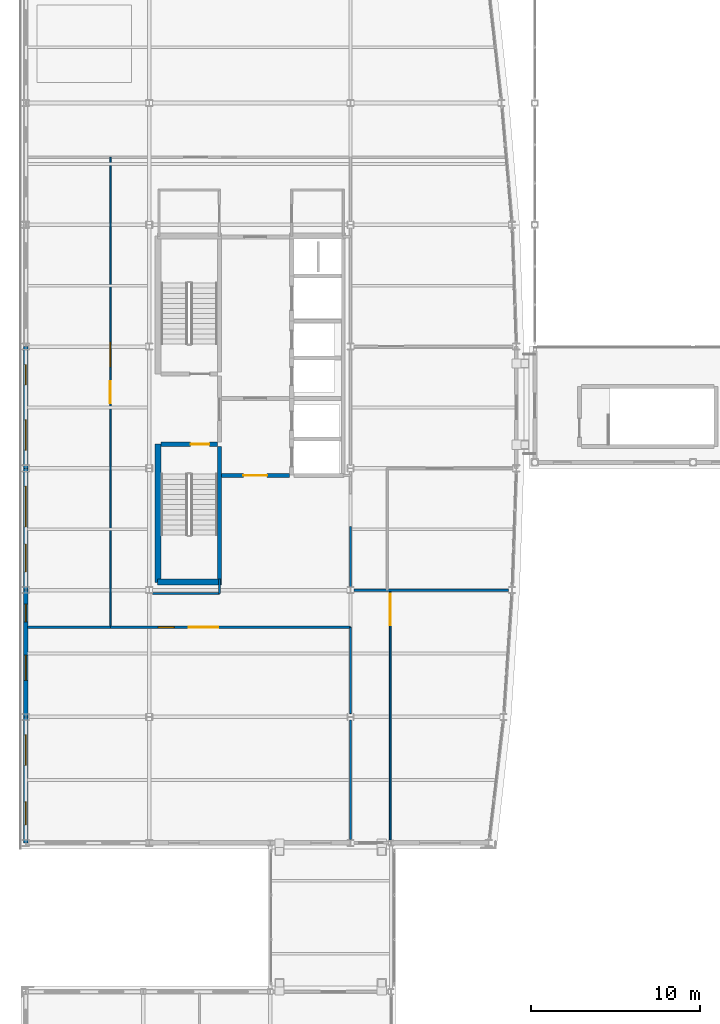
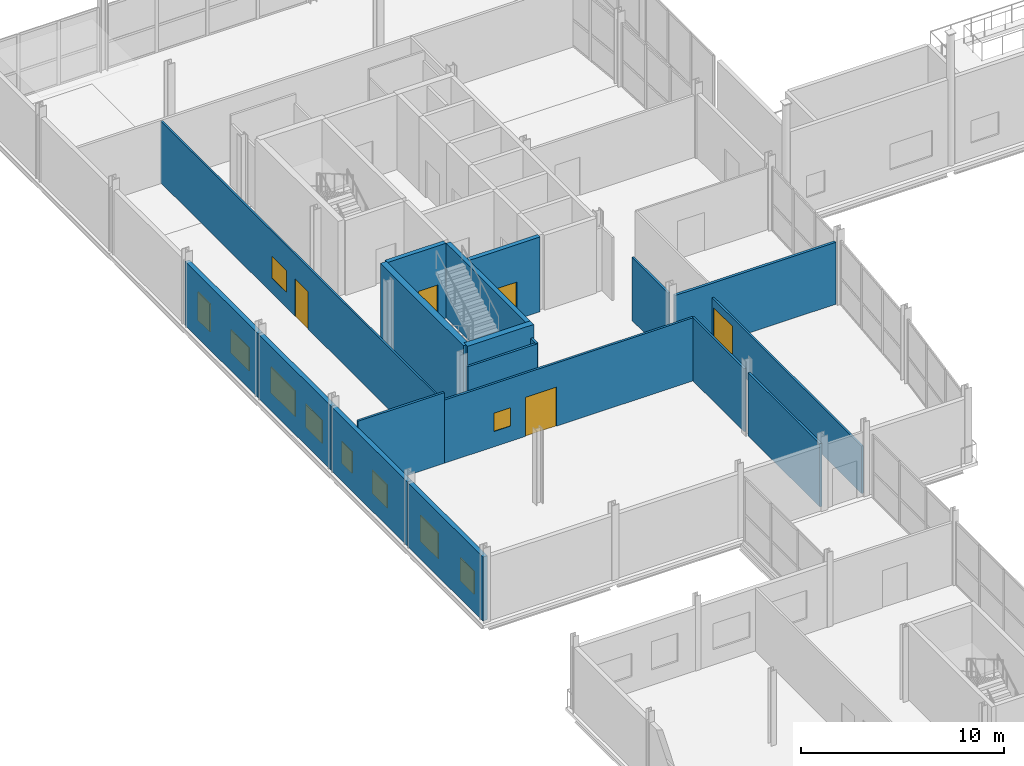
# One storey, part 64 of 77: 19 walls, 10 windows, 5 doors, 15 openings.
"""IFC4 building model written with IfcOpenShell, lengths in metres."""

from ifc_helpers import new_model, si_unit, direction, frame, frame_2d, origin, place, context, subcontext, project, spatial, rectangle, extrude, material, layer, layer_set, type_object, element, fill, save


model = new_model("IFC4")

# Units and contexts
model_context = context("Model", 3, precision=1e-05, world=origin(), true_north=direction((0.0, 1.0)))
body_context = subcontext(model_context, "Body", "Model", "MODEL_VIEW")
ifc_project = project(units=[si_unit("LENGTHUNIT", "METRE"), si_unit("AREAUNIT", "SQUARE_METRE"), si_unit("VOLUMEUNIT", "CUBIC_METRE"), si_unit("PLANEANGLEUNIT", "RADIAN"), si_unit("MASSUNIT", "GRAM", prefix="KILO")], contexts=[model_context])

# Site, building, storey
site_placement = place(None, origin())
site = spatial("IfcSite", under=ifc_project, at=site_placement, CompositionType="ELEMENT")
building_placement = place(site_placement, origin())
building = spatial("IfcBuilding", under=site, at=building_placement, Name="Quillay Park Conservatory", CompositionType="ELEMENT")
storey_placement = place(building_placement, frame((0.0, 0.0, 5.39990234375)))
storey = spatial("IfcBuildingStorey", under=building, at=storey_placement, Name="L01", CompositionType="ELEMENT", Elevation=5.39990234375)

# Wall, openings, window, door
ifc_material_1 = material(Name="Steel-Stud Acoustic Gypsum Board Partition", Category="steel")
ifc_layer_1 = layer(ifc_material_1, 0.10009765625)
ifc_layer_set_1 = layer_set([ifc_layer_1], Name="ACOUSTIC GYPSUM PARTITION 100 (Steel-Stud Acoustic Gypsum Board Partition)")
wall_type_1 = type_object("IfcWallType", Name="ACOUSTIC GYPSUM PARTITION 100", PredefinedType="PARTITIONING", material=ifc_layer_set_1)
wall_1_placement = place(storey_placement, frame((5.550048828125, 75.800048828125, 0.0), z_axis=(0.0, 0.0, 1.0), x_axis=(0.0, 1.0, 0.0)))
wall_1 = element("IfcWall", 1, at=wall_1_placement, inside=storey, type_object=wall_type_1, Name="L01 Seed Germination Growth Chamber Corridor Wall", PredefinedType="PARTITIONING", context=body_context, shape_type="SweptSolid", body=[
    extrude(rectangle(XDim=27.800048828125, YDim=0.10009765625, at=frame_2d((13.89990234375, 0.0))), origin(), (0.0, 0.0, 1.0), 3.72119140625),
])
opening_1_placement = place(wall_1_placement, frame((13.260009765625, 0.0, 0.0)))
opening_1 = element("IfcOpeningElement", 2, at=opening_1_placement, cuts=wall_1, Name="Opening D-RM23", PredefinedType="OPENING", context=body_context, shape_type="SweptSolid", body=[
    extrude(rectangle(XDim=1.280029296875, YDim=2.25, at=frame_2d((0.64013671875, 1.125))), frame((0.0, 0.050048828125, 0.0), z_axis=(0.0, -1.0, 0.0), x_axis=(1.0, 0.0, 0.0)), (0.0, 0.0, 1.0), 0.10009765625),
])
opening_2_placement = place(wall_1_placement, frame((15.389892578125, 0.0, 0.919921875)))
opening_2 = element("IfcOpeningElement", 3, at=opening_2_placement, cuts=wall_1, Name="Opening W-IN12", PredefinedType="OPENING", context=body_context, shape_type="SweptSolid", body=[
    extrude(rectangle(XDim=1.449951171875, YDim=1.300048828125, at=frame_2d((0.72509765625, 0.64990234375))), frame((0.0, 0.050048828125, 0.0), z_axis=(0.0, -1.0, 0.0), x_axis=(1.0, 0.0, 0.0)), (0.0, 0.0, 1.0), 0.10009765625),
])
ifc_material_2 = material(Name="Low-E Double Glazing (Laminated Tempered)", Category="glass")
window_type_1 = type_object("IfcWindowType", Name="OPERABLE VENT WINDOW 1450 X1300", PartitioningType="SINGLE_PANEL", PredefinedType="WINDOW", material=ifc_material_2)
window_1_placement = place(opening_2_placement, origin())
window_1 = element("IfcWindow", 4, at=window_1_placement, inside=storey, type_object=window_type_1, Name="L01 Laboratory Vision Panel 012", OverallHeight=1.300048828125, OverallWidth=1.449951171875, PartitioningType="SINGLE_PANEL", PredefinedType="WINDOW", context=body_context, shape_type="SweptSolid", body=[
    extrude(rectangle(XDim=1.449951171875, YDim=1.300048828125, at=frame_2d((0.72509765625, 0.64990234375))), frame((0.0, 0.030029296875, 0.0), z_axis=(0.0, -1.0, 0.0), x_axis=(1.0, 0.0, 0.0)), (0.0, 0.0, 1.0), 0.06005859375),
])
fill(opening_2, window_1)
ifc_material_3 = material(Name="Thermally Broken Anodised Aluminium 6063-T6", Category="aluminium")
door_type_1 = type_object("IfcDoorType", Name="SINGLE SWING DOOR 1280 X2250", OperationType="NOTDEFINED", PredefinedType="DOOR", material=ifc_material_3)
door_1_placement = place(opening_1_placement, origin())
door_1 = element("IfcDoor", 5, at=door_1_placement, inside=storey, type_object=door_type_1, Name="L01 Door to Seed Germination Growth Chamber", OperationType="SINGLE_SWING_LEFT", OverallHeight=2.25, OverallWidth=1.280029296875, PredefinedType="DOOR", context=body_context, shape_type="SweptSolid", body=[
    extrude(rectangle(XDim=1.280029296875, YDim=2.25, at=frame_2d((0.64013671875, 1.125))), frame((0.0, 0.02490234375, 0.0), z_axis=(0.0, -1.0, 0.0), x_axis=(1.0, 0.0, 0.0)), (0.0, 0.0, 1.0), 0.050048828125),
])
fill(opening_1, door_1)

# Wall, opening, door
ifc_material_4 = material(Name="Steel-Stud Acoustic Gypsum Board Partition", Category="steel")
ifc_layer_2 = layer(ifc_material_4, 0.110107421875)
ifc_layer_set_2 = layer_set([ifc_layer_2], Name="ACOUSTIC GYPSUM PARTITION 110 (Steel-Stud Acoustic Gypsum Board Partition)")
wall_type_2 = type_object("IfcWallType", Name="ACOUSTIC GYPSUM PARTITION 110", PredefinedType="PARTITIONING", material=ifc_layer_set_2)
wall_2_placement = place(storey_placement, frame((22.10009765625, 63.20654296875, 0.0), z_axis=(0.0, 0.0, 1.0), x_axis=(0.0, 1.0, 0.0)))
wall_2 = element("IfcWall", 6, at=wall_2_placement, inside=storey, type_object=wall_type_2, Name="L01 Ethnobotanical Voucher Sorting Studio West Door Wall", PredefinedType="PARTITIONING", context=body_context, shape_type="SweptSolid", body=[
    extrude(rectangle(XDim=14.79345703125, YDim=0.110107421875, at=frame_2d((7.396728515625, 0.0))), origin(), (0.0, 0.0, 1.0), 2.860107421875),
])
opening_3_placement = place(wall_2_placement, frame((12.718505859375, 0.0, 0.0)))
opening_3 = element("IfcOpeningElement", 7, at=opening_3_placement, cuts=wall_2, Name="Opening D-RM29", PredefinedType="OPENING", context=body_context, shape_type="SweptSolid", body=[
    extrude(rectangle(XDim=1.85009765625, YDim=2.35009765625, at=frame_2d((0.925048828125, 1.175048828125))), frame((0.0, 0.05517578125, 0.0), z_axis=(0.0, -1.0, 0.0), x_axis=(1.0, 0.0, 0.0)), (0.0, 0.0, 1.0), 0.110107421875),
])
ifc_material_5 = material(Name="Thermally Broken Anodised Aluminium 6063-T6", Category="aluminium")
door_type_2 = type_object("IfcDoorType", Name="SINGLE SWING DOOR 1850 X2350", OperationType="NOTDEFINED", PredefinedType="DOOR", material=ifc_material_5)
door_2_placement = place(opening_3_placement, origin())
door_2 = element("IfcDoor", 8, at=door_2_placement, inside=storey, type_object=door_type_2, Name="L01 Door to Ethnobotanical Voucher Sorting Studio", OperationType="SINGLE_SWING_LEFT", OverallHeight=2.35009765625, OverallWidth=1.85009765625, PredefinedType="DOOR", context=body_context, shape_type="SweptSolid", body=[
    extrude(rectangle(XDim=1.85009765625, YDim=2.35009765625, at=frame_2d((0.925048828125, 1.175048828125))), frame((0.0, 0.02490234375, 0.0), z_axis=(0.0, -1.0, 0.0), x_axis=(1.0, 0.0, 0.0)), (0.0, 0.0, 1.0), 0.050048828125),
])
fill(opening_3, door_2)

# Walls
ifc_material_6 = material(Name="Steel-Stud Acoustic Gypsum Board Partition", Category="steel")
ifc_layer_3 = layer(ifc_material_6, 0.114990234375)
ifc_layer_set_3 = layer_set([ifc_layer_3], Name="ACOUSTIC GYPSUM PARTITION 115 (Steel-Stud Acoustic Gypsum Board Partition)")
wall_type_3 = type_object("IfcWallType", Name="ACOUSTIC GYPSUM PARTITION 115", PredefinedType="PARTITIONING", material=ifc_layer_set_3)
wall_3_placement = place(storey_placement, frame((19.75, 70.694580078125, 0.0), z_axis=(0.0, 0.0, 1.0), x_axis=(0.0, 1.0, 0.0)))
element("IfcWall", 9, at=wall_3_placement, inside=storey, type_object=wall_type_3, Name="L01 Plant Anatomy Teaching Research Laboratory East Wall N", PredefinedType="PARTITIONING", context=body_context, shape_type="SweptSolid", body=[
    extrude(rectangle(XDim=5.10546875, YDim=0.114990234375, at=frame_2d((2.552734375, 0.0))), origin(), (0.0, 0.0, 1.0), 3.797119140625),
])
ifc_material_7 = material(Name="Steel-Stud Acoustic Gypsum Board Partition", Category="steel")
ifc_layer_4 = layer(ifc_material_7, 0.1201171875)
ifc_layer_set_4 = layer_set([ifc_layer_4], Name="ACOUSTIC GYPSUM PARTITION 120 (Steel-Stud Acoustic Gypsum Board Partition)")
wall_type_4 = type_object("IfcWallType", Name="ACOUSTIC GYPSUM PARTITION 120", PredefinedType="PARTITIONING", material=ifc_layer_set_4)
wall_4_placement = place(storey_placement, frame((19.75, 78.19140625, 0.0), z_axis=(0.0, 0.0, 1.0), x_axis=(0.0, 1.0, 0.0)))
element("IfcWall", 10, at=wall_4_placement, inside=storey, type_object=wall_type_4, Name="L01 Core East Wall S", PredefinedType="PARTITIONING", context=body_context, shape_type="SweptSolid", body=[
    extrude(rectangle(XDim=3.55859375, YDim=0.1201171875, at=frame_2d((1.779296875, 0.0))), origin(), (0.0, 0.0, 1.0), 3.797119140625),
])
wall_5_placement = place(storey_placement, frame((19.75, 63.241455078125, 0.0), z_axis=(0.0, 0.0, 1.0), x_axis=(0.0, 1.0, 0.0)))
element("IfcWall", 11, at=wall_5_placement, inside=storey, type_object=wall_type_4, Name="L01 Plant Anatomy Teaching Research Laboratory East Wall S", PredefinedType="PARTITIONING", context=body_context, shape_type="SweptSolid", body=[
    extrude(rectangle(XDim=7.06396484375, YDim=0.1201171875, at=frame_2d((3.531982421875, 0.0))), origin(), (0.0, 0.0, 1.0), 3.797119140625),
])
ifc_material_8 = material(Name="Steel-Stud Acoustic Gypsum Board Partition", Category="steel")
ifc_layer_5 = layer(ifc_material_8, 0.125)
ifc_layer_set_5 = layer_set([ifc_layer_5], Name="ACOUSTIC GYPSUM PARTITION 125 (Steel-Stud Acoustic Gypsum Board Partition)")
wall_type_5 = type_object("IfcWallType", Name="ACOUSTIC GYPSUM PARTITION 125", PredefinedType="PARTITIONING", material=ifc_layer_set_5)
wall_6_placement = place(storey_placement, frame((12.0, 77.800048828125, 0.0), z_axis=(0.0, 0.0, 1.0), x_axis=(0.0, 1.0, 0.0)))
element("IfcWall", 12, at=wall_6_placement, inside=storey, type_object=wall_type_5, Name="L01 Core South Vestibule West Wall", PredefinedType="PARTITIONING", context=body_context, shape_type="SweptSolid", body=[
    extrude(rectangle(XDim=0.849853515625, YDim=0.125, at=frame_2d((0.4248046875, 0.0))), origin(), (0.0, 0.0, 1.0), 3.72119140625),
])

# Wall, openings, window, door
wall_7_placement = place(storey_placement, frame((19.75, 75.800048828125, 0.0), z_axis=(0.0, 0.0, 1.0), x_axis=(-1.0, 0.0, 0.0)))
wall_7 = element("IfcWall", 13, at=wall_7_placement, inside=storey, type_object=wall_type_5, Name="L01 Plant Anatomy Teaching Research Laboratory North Door Wall", PredefinedType="PARTITIONING", context=body_context, shape_type="SweptSolid", body=[
    extrude(rectangle(XDim=14.199951171875, YDim=0.125, at=frame_2d((7.10009765625, 0.0))), origin(), (0.0, 0.0, 1.0), 3.797119140625),
])
opening_4_placement = place(wall_7_placement, frame((7.824951171875, 0.0, 0.0)))
opening_4 = element("IfcOpeningElement", 14, at=opening_4_placement, cuts=wall_7, Name="Opening D-RM28", PredefinedType="OPENING", context=body_context, shape_type="SweptSolid", body=[
    extrude(rectangle(XDim=1.75, YDim=2.35009765625, at=frame_2d((0.875, 1.175048828125))), frame((0.0, 0.0625, 0.0), z_axis=(0.0, -1.0, 0.0), x_axis=(1.0, 0.0, 0.0)), (0.0, 0.0, 1.0), 0.125),
])
opening_5_placement = place(wall_7_placement, frame((10.425048828125, 0.0, 0.919921875)))
opening_5 = element("IfcOpeningElement", 15, at=opening_5_placement, cuts=wall_7, Name="Opening W-IN02", PredefinedType="OPENING", context=body_context, shape_type="SweptSolid", body=[
    extrude(rectangle(XDim=0.949951171875, YDim=1.10009765625, at=frame_2d((0.47509765625, 0.550048828125))), frame((0.0, 0.0625, 0.0), z_axis=(0.0, -1.0, 0.0), x_axis=(1.0, 0.0, 0.0)), (0.0, 0.0, 1.0), 0.125),
])
ifc_material_9 = material(Name="Low-E Double Glazing (Laminated Tempered)", Category="glass")
window_type_2 = type_object("IfcWindowType", Name="OPERABLE VENT WINDOW 950 X1100", PartitioningType="SINGLE_PANEL", PredefinedType="WINDOW", material=ifc_material_9)
window_2_placement = place(opening_5_placement, origin())
window_2 = element("IfcWindow", 16, at=window_2_placement, inside=storey, type_object=window_type_2, Name="L01 Laboratory Vision Panel 014", OverallHeight=1.10009765625, OverallWidth=0.949951171875, PartitioningType="SINGLE_PANEL", PredefinedType="WINDOW", context=body_context, shape_type="SweptSolid", body=[
    extrude(rectangle(XDim=0.949951171875, YDim=1.10009765625, at=frame_2d((0.47509765625, 0.550048828125))), frame((0.0, 0.030029296875, 0.0), z_axis=(0.0, -1.0, 0.0), x_axis=(1.0, 0.0, 0.0)), (0.0, 0.0, 1.0), 0.06005859375),
])
fill(opening_5, window_2)
ifc_material_10 = material(Name="Thermally Broken Anodised Aluminium 6063-T6", Category="aluminium")
door_type_3 = type_object("IfcDoorType", Name="SINGLE SWING DOOR 1750 X2350", OperationType="NOTDEFINED", PredefinedType="DOOR", material=ifc_material_10)
door_3_placement = place(opening_4_placement, origin())
door_3 = element("IfcDoor", 17, at=door_3_placement, inside=storey, type_object=door_type_3, Name="L01 Door to Plant Anatomy Teaching Research Laboratory", OperationType="SINGLE_SWING_RIGHT", OverallHeight=2.35009765625, OverallWidth=1.75, PredefinedType="DOOR", context=body_context, shape_type="SweptSolid", body=[
    extrude(rectangle(XDim=1.75, YDim=2.35009765625, at=frame_2d((0.875, 1.175048828125))), frame((0.0, 0.02490234375, 0.0), z_axis=(0.0, -1.0, 0.0), x_axis=(1.0, 0.0, 0.0)), (0.0, 0.0, 1.0), 0.050048828125),
])
fill(opening_4, door_3)

# Walls
ifc_material_11 = material(Name="Steel-Stud Acoustic Gypsum Board Partition", Category="steel")
ifc_layer_6 = layer(ifc_material_11, 0.1298828125)
ifc_layer_set_6 = layer_set([ifc_layer_6], Name="ACOUSTIC GYPSUM PARTITION 130 (Steel-Stud Acoustic Gypsum Board Partition)")
wall_type_6 = type_object("IfcWallType", Name="ACOUSTIC GYPSUM PARTITION 130", PredefinedType="PARTITIONING", material=ifc_layer_set_6)
wall_8_placement = place(storey_placement, frame((8.04443359375, 77.800048828125, 0.0), z_axis=(0.0, 0.0, 1.0), x_axis=(1.0, 0.0, 0.0)))
element("IfcWall", 18, at=wall_8_placement, inside=storey, type_object=wall_type_6, Name="L01 Core South-West Return", PredefinedType="PARTITIONING", context=body_context, shape_type="SweptSolid", body=[
    extrude(rectangle(XDim=3.95556640625, YDim=0.1298828125, at=frame_2d((1.977783203125, 0.0))), origin(), (0.0, 0.0, 1.0), 3.72119140625),
])
wall_9_placement = place(storey_placement, frame((0.64990234375, 75.800048828125, 0.0), z_axis=(0.0, 0.0, 1.0), x_axis=(1.0, 0.0, 0.0)))
element("IfcWall", 19, at=wall_9_placement, inside=storey, type_object=wall_type_6, Name="L01 Plant Anatomy Teaching Research Laboratory North-West Wall", PredefinedType="PARTITIONING", context=body_context, shape_type="SweptSolid", body=[
    extrude(rectangle(XDim=4.900146484375, YDim=0.1298828125, at=frame_2d((2.4501953125, 0.0))), origin(), (0.0, 0.0, 1.0), 4.25),
])
ifc_material_12 = material(Name="Steel-Stud Acoustic Gypsum Board Partition", Category="steel")
ifc_layer_7 = layer(ifc_material_12, 0.14990234375)
ifc_layer_set_7 = layer_set([ifc_layer_7], Name="ACOUSTIC GYPSUM PARTITION 150 (Steel-Stud Acoustic Gypsum Board Partition)")
wall_type_7 = type_object("IfcWallType", Name="ACOUSTIC GYPSUM PARTITION 150", PredefinedType="PARTITIONING", material=ifc_layer_set_7)
wall_10_placement = place(storey_placement, frame((29.10546875, 78.0, 0.0), z_axis=(0.0, 0.0, 1.0), x_axis=(-1.0, 0.0, 0.0)))
element("IfcWall", 20, at=wall_10_placement, inside=storey, type_object=wall_type_7, Name="L01 Annex South Wall", PredefinedType="PARTITIONING", context=body_context, shape_type="SweptSolid", body=[
    extrude(rectangle(XDim=9.160888671875, YDim=0.14990234375, at=frame_2d((4.58056640625, 0.0))), origin(), (0.0, 0.0, 1.0), 3.72119140625),
])
ifc_material_13 = material(Name="Concrete C40/50 (NCh170 Concrete C40/50)", Category="concrete")
ifc_layer_8 = layer(ifc_material_13, 0.25)
ifc_layer_set_8 = layer_set([ifc_layer_8], Name="CORE SHEAR WALL 250 (Concrete C40/50 (NCh170 Concrete C40/50))")
wall_type_8 = type_object("IfcWallType", Name="CORE SHEAR WALL 250", PredefinedType="SHEAR", material=ifc_layer_set_8)
wall_11_placement = place(storey_placement, frame((11.9951171875, 78.64990234375, 0.0), z_axis=(0.0, 0.0, 1.0), x_axis=(0.0, 1.0, 0.0)))
element("IfcWall", 21, at=wall_11_placement, inside=storey, type_object=wall_type_8, Name="L01 Core Shear Wall WL-T2E-L01", PredefinedType="SHEAR", context=body_context, shape_type="SweptSolid", body=[
    extrude(rectangle(XDim=7.85009765625, YDim=0.25, at=frame_2d((3.925048828125, 0.0))), origin(), (0.0, 0.0, 1.0), 4.5),
])

# Wall, opening, door
wall_12_placement = place(storey_placement, frame((8.550048828125, 86.625, 0.0), z_axis=(0.0, 0.0, 1.0), x_axis=(1.0, 0.0, 0.0)))
wall_12 = element("IfcWall", 22, at=wall_12_placement, inside=storey, type_object=wall_type_8, Name="L01 Core Shear Wall WL-ST2D-L01", PredefinedType="SHEAR", context=body_context, shape_type="SweptSolid", body=[
    extrude(rectangle(XDim=3.320068359375, YDim=0.25, at=frame_2d((1.66015625, 0.0))), origin(), (0.0, 0.0, 1.0), 4.5),
])
opening_6_placement = place(wall_12_placement, frame((1.75, 0.0, 0.0)))
opening_6 = element("IfcOpeningElement", 23, at=opening_6_placement, cuts=wall_12, Name="Opening D-ST01", PredefinedType="OPENING", context=body_context, shape_type="SweptSolid", body=[
    extrude(rectangle(XDim=1.10009765625, YDim=2.14990234375, at=frame_2d((0.550048828125, 1.074951171875))), frame((0.0, 0.125, 0.0), z_axis=(0.0, -1.0, 0.0), x_axis=(1.0, 0.0, 0.0)), (0.0, 0.0, 1.0), 0.25),
])
ifc_material_14 = material(Name="Steel ASTM A572 Grade 50", Category="steel")
door_type_4 = type_object("IfcDoorType", Name="FIRE RATED STAIR DOOR 1100 X2150", OperationType="NOTDEFINED", PredefinedType="DOOR", material=ifc_material_14)
door_4_placement = place(opening_6_placement, origin())
door_4 = element("IfcDoor", 24, at=door_4_placement, inside=storey, type_object=door_type_4, Name="L01 Protected Stair ST-T2 Door", OperationType="SINGLE_SWING_LEFT", OverallHeight=2.14990234375, OverallWidth=1.10009765625, PredefinedType="DOOR", context=body_context, shape_type="SweptSolid", body=[
    extrude(rectangle(XDim=1.10009765625, YDim=2.14990234375, at=frame_2d((0.550048828125, 1.074951171875))), frame((0.0, 0.02490234375, 0.0), z_axis=(0.0, -1.0, 0.0), x_axis=(1.0, 0.0, 0.0)), (0.0, 0.0, 1.0), 0.050048828125),
])
fill(opening_6, door_4)

wall_13_placement = place(storey_placement, frame((12.1201171875, 84.77490234375, 0.0), z_axis=(0.0, 0.0, 1.0), x_axis=(1.0, 0.0, 0.0)))
wall_13 = element("IfcWall", 25, at=wall_13_placement, inside=storey, type_object=wall_type_8, Name="L01 Core Shear Wall WL-FFS-L01", PredefinedType="SHEAR", context=body_context, shape_type="SweptSolid", body=[
    extrude(rectangle(XDim=4.02978515625, YDim=0.25, at=frame_2d((2.014892578125, 0.0))), origin(), (0.0, 0.0, 1.0), 4.5),
])
opening_7_placement = place(wall_13_placement, frame((1.300048828125, 0.0, 0.0)))
opening_7 = element("IfcOpeningElement", 26, at=opening_7_placement, cuts=wall_13, Name="Opening D-LB03", PredefinedType="OPENING", context=body_context, shape_type="SweptSolid", body=[
    extrude(rectangle(XDim=1.39990234375, YDim=2.25, at=frame_2d((0.699951171875, 1.125))), frame((0.0, 0.125, 0.0), z_axis=(0.0, -1.0, 0.0), x_axis=(1.0, 0.0, 0.0)), (0.0, 0.0, 1.0), 0.25),
])
ifc_material_15 = material(Name="Steel ASTM A572 Grade 50", Category="steel")
door_type_5 = type_object("IfcDoorType", Name="FIRE RATED LOBBY DOOR 1400 X2250", OperationType="NOTDEFINED", PredefinedType="DOOR", material=ifc_material_15)
door_5_placement = place(opening_7_placement, origin())
door_5 = element("IfcDoor", 27, at=door_5_placement, inside=storey, type_object=door_type_5, Name="L01 South Core Lobby Door", OperationType="SINGLE_SWING_RIGHT", OverallHeight=2.25, OverallWidth=1.39990234375, PredefinedType="DOOR", context=body_context, shape_type="SweptSolid", body=[
    extrude(rectangle(XDim=1.39990234375, YDim=2.25, at=frame_2d((0.699951171875, 1.125))), frame((0.0, 0.02490234375, 0.0), z_axis=(0.0, -1.0, 0.0), x_axis=(1.0, 0.0, 0.0)), (0.0, 0.0, 1.0), 0.050048828125),
])
fill(opening_7, door_5)

# Walls
ifc_material_16 = material(Name="Concrete C40/50 (NCh170 Concrete C40/50)", Category="concrete")
ifc_layer_9 = layer(ifc_material_16, 0.35009765625)
ifc_layer_set_9 = layer_set([ifc_layer_9], Name="CORE SHEAR WALL 350 (Concrete C40/50 (NCh170 Concrete C40/50))")
wall_type_9 = type_object("IfcWallType", Name="CORE SHEAR WALL 350", PredefinedType="SHEAR", material=ifc_layer_set_9)
wall_14_placement = place(storey_placement, frame((8.375, 78.449951171875, 0.0), z_axis=(0.0, 0.0, 1.0), x_axis=(0.0, 1.0, 0.0)))
element("IfcWall", 28, at=wall_14_placement, inside=storey, type_object=wall_type_9, Name="L01 Core Shear Wall WL-TCW-S-L01", PredefinedType="SHEAR", context=body_context, shape_type="SweptSolid", body=[
    extrude(rectangle(XDim=8.175048828125, YDim=0.35009765625, at=frame_2d((4.08740234375, 0.0))), origin(), (0.0, 0.0, 1.0), 4.5),
])
wall_15_placement = place(storey_placement, frame((8.35009765625, 78.47509765625, 0.0), z_axis=(0.0, 0.0, 1.0), x_axis=(1.0, 0.0, 0.0)))
element("IfcWall", 29, at=wall_15_placement, inside=storey, type_object=wall_type_9, Name="L01 Core Shear Wall WL-TCS-L01", PredefinedType="SHEAR", context=body_context, shape_type="SweptSolid", body=[
    extrude(rectangle(XDim=3.77001953125, YDim=0.35009765625, at=frame_2d((1.885009765625, 0.0))), origin(), (0.0, 0.0, 1.0), 4.5),
])

# Wall, openings, windows
ifc_material_17 = material(Name="Glass-Fibre Reinforced Concrete (GRC) Cladding", Category="concrete")
ifc_layer_10 = layer(ifc_material_17, 0.260009765625)
ifc_layer_set_10 = layer_set([ifc_layer_10], Name="EXTERIOR SOLID WALL 260 (Glass-Fibre Reinforced Concrete (GRC) Cladding)")
wall_type_10 = type_object("IfcWallType", Name="EXTERIOR SOLID WALL 260", PredefinedType="SOLIDWALL", material=ifc_layer_set_10)
wall_16_placement = place(storey_placement, frame((0.550048828125, 63.050048828125, 0.0), z_axis=(0.0, 0.0, 1.0), x_axis=(0.0, 1.0, 0.0)))
wall_16 = element("IfcWall", 30, at=wall_16_placement, inside=storey, type_object=wall_type_10, Name="L01 External Wall WL-EXT-V4W-L01-0", PredefinedType="SOLIDWALL", context=body_context, shape_type="SweptSolid", body=[
    extrude(rectangle(XDim=7.449951171875, YDim=0.260009765625, at=frame_2d((3.72509765625, 0.0))), origin(), (0.0, 0.0, 1.0), 3.84716796875),
])
opening_8_placement = place(wall_16_placement, frame((1.070068359375, 0.0, 0.919921875)))
opening_8 = element("IfcOpeningElement", 31, at=opening_8_placement, cuts=wall_16, Name="Opening W-02", PredefinedType="OPENING", context=body_context, shape_type="SweptSolid", body=[
    extrude(rectangle(XDim=1.35009765625, YDim=1.39990234375, at=frame_2d((0.675048828125, 0.699951171875))), frame((0.0, 0.1298828125, 0.0), z_axis=(0.0, -1.0, 0.0), x_axis=(1.0, 0.0, 0.0)), (0.0, 0.0, 1.0), 0.260009765625),
])
opening_9_placement = place(wall_16_placement, frame((4.580078125, 0.0, 0.919921875)))
opening_9 = element("IfcOpeningElement", 32, at=opening_9_placement, cuts=wall_16, Name="Opening W-09", PredefinedType="OPENING", context=body_context, shape_type="SweptSolid", body=[
    extrude(rectangle(XDim=1.800048828125, YDim=1.550048828125, at=frame_2d((0.89990234375, 0.77490234375))), frame((0.0, 0.1298828125, 0.0), z_axis=(0.0, -1.0, 0.0), x_axis=(1.0, 0.0, 0.0)), (0.0, 0.0, 1.0), 0.260009765625),
])
ifc_material_18 = material(Name="Low-E Double Glazing (Laminated Tempered)", Category="glass")
window_type_3 = type_object("IfcWindowType", Name="FIXED CASEMENT WINDOW 1350 X1400", PartitioningType="SINGLE_PANEL", PredefinedType="WINDOW", material=ifc_material_18)
window_3_placement = place(opening_8_placement, origin())
window_3 = element("IfcWindow", 33, at=window_3_placement, inside=storey, type_object=window_type_3, Name="L01 Exterior Window 0086", OverallHeight=1.39990234375, OverallWidth=1.35009765625, PartitioningType="SINGLE_PANEL", PredefinedType="WINDOW", context=body_context, shape_type="SweptSolid", body=[
    extrude(rectangle(XDim=1.35009765625, YDim=1.39990234375, at=frame_2d((0.675048828125, 0.699951171875))), frame((0.0, 0.030029296875, 0.0), z_axis=(0.0, -1.0, 0.0), x_axis=(1.0, 0.0, 0.0)), (0.0, 0.0, 1.0), 0.06005859375),
])
fill(opening_8, window_3)
ifc_material_19 = material(Name="Low-E Double Glazing (Laminated Tempered)", Category="glass")
window_type_4 = type_object("IfcWindowType", Name="FIXED CASEMENT WINDOW 1800 X1550", PartitioningType="DOUBLE_PANEL_VERTICAL", PredefinedType="WINDOW", material=ifc_material_19)
window_4_placement = place(opening_9_placement, origin())
window_4 = element("IfcWindow", 34, at=window_4_placement, inside=storey, type_object=window_type_4, Name="L01 Exterior Window 0087", OverallHeight=1.550048828125, OverallWidth=1.800048828125, PartitioningType="DOUBLE_PANEL_VERTICAL", PredefinedType="WINDOW", context=body_context, shape_type="SweptSolid", body=[
    extrude(rectangle(XDim=1.800048828125, YDim=1.550048828125, at=frame_2d((0.89990234375, 0.77490234375))), frame((0.0, 0.030029296875, 0.0), z_axis=(0.0, -1.0, 0.0), x_axis=(1.0, 0.0, 0.0)), (0.0, 0.0, 1.0), 0.06005859375),
])
fill(opening_9, window_4)

wall_17_placement = place(storey_placement, frame((0.550048828125, 70.5, 0.0), z_axis=(0.0, 0.0, 1.0), x_axis=(0.0, 1.0, 0.0)))
wall_17 = element("IfcWall", 35, at=wall_17_placement, inside=storey, type_object=wall_type_10, Name="L01 External Wall WL-EXT-V4W-L01-1", PredefinedType="SOLIDWALL", context=body_context, shape_type="SweptSolid", body=[
    extrude(rectangle(XDim=7.5, YDim=0.260009765625, at=frame_2d((3.75, 0.0))), origin(), (0.0, 0.0, 1.0), 3.84716796875),
])
opening_10_placement = place(wall_17_placement, frame((2.155029296875, 0.0, 0.919921875)))
opening_10 = element("IfcOpeningElement", 36, at=opening_10_placement, cuts=wall_17, Name="Opening W-03", PredefinedType="OPENING", context=body_context, shape_type="SweptSolid", body=[
    extrude(rectangle(XDim=1.5, YDim=1.39990234375, at=frame_2d((0.75, 0.699951171875))), frame((0.0, 0.1298828125, 0.0), z_axis=(0.0, -1.0, 0.0), x_axis=(1.0, 0.0, 0.0)), (0.0, 0.0, 1.0), 0.260009765625),
])
opening_11_placement = place(wall_17_placement, frame((5.6201171875, 0.0, 0.919921875)))
opening_11 = element("IfcOpeningElement", 37, at=opening_11_placement, cuts=wall_17, Name="Opening W-18", PredefinedType="OPENING", context=body_context, shape_type="SweptSolid", body=[
    extrude(rectangle(XDim=1.050048828125, YDim=1.300048828125, at=frame_2d((0.52490234375, 0.64990234375))), frame((0.0, 0.1298828125, 0.0), z_axis=(0.0, -1.0, 0.0), x_axis=(1.0, 0.0, 0.0)), (0.0, 0.0, 1.0), 0.260009765625),
])
ifc_material_20 = material(Name="Low-E Double Glazing (Laminated Tempered)", Category="glass")
window_type_5 = type_object("IfcWindowType", Name="FIXED CASEMENT WINDOW 1050 X1300", PartitioningType="SINGLE_PANEL", PredefinedType="WINDOW", material=ifc_material_20)
window_5_placement = place(opening_11_placement, origin())
window_5 = element("IfcWindow", 38, at=window_5_placement, inside=storey, type_object=window_type_5, Name="L01 Exterior Window 0089", OverallHeight=1.300048828125, OverallWidth=1.050048828125, PartitioningType="SINGLE_PANEL", PredefinedType="WINDOW", context=body_context, shape_type="SweptSolid", body=[
    extrude(rectangle(XDim=1.050048828125, YDim=1.300048828125, at=frame_2d((0.52490234375, 0.64990234375))), frame((0.0, 0.030029296875, 0.0), z_axis=(0.0, -1.0, 0.0), x_axis=(1.0, 0.0, 0.0)), (0.0, 0.0, 1.0), 0.06005859375),
])
fill(opening_11, window_5)
ifc_material_21 = material(Name="Low-E Double Glazing (Laminated Tempered)", Category="glass")
window_type_6 = type_object("IfcWindowType", Name="FIXED CASEMENT WINDOW 1500 X1400", PartitioningType="SINGLE_PANEL", PredefinedType="WINDOW", material=ifc_material_21)
window_6_placement = place(opening_10_placement, origin())
window_6 = element("IfcWindow", 39, at=window_6_placement, inside=storey, type_object=window_type_6, Name="L01 Exterior Window 0088", OverallHeight=1.39990234375, OverallWidth=1.5, PartitioningType="SINGLE_PANEL", PredefinedType="WINDOW", context=body_context, shape_type="SweptSolid", body=[
    extrude(rectangle(XDim=1.5, YDim=1.39990234375, at=frame_2d((0.75, 0.699951171875))), frame((0.0, 0.030029296875, 0.0), z_axis=(0.0, -1.0, 0.0), x_axis=(1.0, 0.0, 0.0)), (0.0, 0.0, 1.0), 0.06005859375),
])
fill(opening_10, window_6)

wall_18_placement = place(storey_placement, frame((0.550048828125, 78.0, 0.0), z_axis=(0.0, 0.0, 1.0), x_axis=(0.0, 1.0, 0.0)))
wall_18 = element("IfcWall", 40, at=wall_18_placement, inside=storey, type_object=wall_type_10, Name="L01 External Wall WL-EXT-V4W-L01-2", PredefinedType="SOLIDWALL", context=body_context, shape_type="SweptSolid", body=[
    extrude(rectangle(XDim=7.199951171875, YDim=0.260009765625, at=frame_2d((3.60009765625, 0.0))), origin(), (0.0, 0.0, 1.0), 3.84716796875),
])
opening_12_placement = place(wall_18_placement, frame((1.070068359375, 0.0, 0.919921875)))
opening_12 = element("IfcOpeningElement", 41, at=opening_12_placement, cuts=wall_18, Name="Opening W-04", PredefinedType="OPENING", context=body_context, shape_type="SweptSolid", body=[
    extrude(rectangle(XDim=1.64990234375, YDim=1.39990234375, at=frame_2d((0.824951171875, 0.699951171875))), frame((0.0, 0.1298828125, 0.0), z_axis=(0.0, -1.0, 0.0), x_axis=(1.0, 0.0, 0.0)), (0.0, 0.0, 1.0), 0.260009765625),
])
opening_13_placement = place(wall_18_placement, frame((3.72998046875, 0.0, 0.919921875)))
opening_13 = element("IfcOpeningElement", 42, at=opening_13_placement, cuts=wall_18, Name="Opening W-11", PredefinedType="OPENING", context=body_context, shape_type="SweptSolid", body=[
    extrude(rectangle(XDim=2.39990234375, YDim=1.550048828125, at=frame_2d((1.199951171875, 0.77490234375))), frame((0.0, 0.1298828125, 0.0), z_axis=(0.0, -1.0, 0.0), x_axis=(1.0, 0.0, 0.0)), (0.0, 0.0, 1.0), 0.260009765625),
])
ifc_material_22 = material(Name="Low-E Double Glazing (Laminated Tempered)", Category="glass")
window_type_7 = type_object("IfcWindowType", Name="FIXED CASEMENT WINDOW 1650 X1400", PartitioningType="DOUBLE_PANEL_VERTICAL", PredefinedType="WINDOW", material=ifc_material_22)
window_7_placement = place(opening_12_placement, origin())
window_7 = element("IfcWindow", 43, at=window_7_placement, inside=storey, type_object=window_type_7, Name="L01 Exterior Window 0090", OverallHeight=1.39990234375, OverallWidth=1.64990234375, PartitioningType="DOUBLE_PANEL_VERTICAL", PredefinedType="WINDOW", context=body_context, shape_type="SweptSolid", body=[
    extrude(rectangle(XDim=1.64990234375, YDim=1.39990234375, at=frame_2d((0.824951171875, 0.699951171875))), frame((0.0, 0.030029296875, 0.0), z_axis=(0.0, -1.0, 0.0), x_axis=(1.0, 0.0, 0.0)), (0.0, 0.0, 1.0), 0.06005859375),
])
fill(opening_12, window_7)
ifc_material_23 = material(Name="Low-E Double Glazing (Laminated Tempered)", Category="glass")
window_type_8 = type_object("IfcWindowType", Name="FIXED CASEMENT WINDOW 2400 X1550", PartitioningType="DOUBLE_PANEL_VERTICAL", PredefinedType="WINDOW", material=ifc_material_23)
window_8_placement = place(opening_13_placement, origin())
window_8 = element("IfcWindow", 44, at=window_8_placement, inside=storey, type_object=window_type_8, Name="L01 Exterior Window 0091", OverallHeight=1.550048828125, OverallWidth=2.39990234375, PartitioningType="DOUBLE_PANEL_VERTICAL", PredefinedType="WINDOW", context=body_context, shape_type="SweptSolid", body=[
    extrude(rectangle(XDim=2.39990234375, YDim=1.550048828125, at=frame_2d((1.199951171875, 0.77490234375))), frame((0.0, 0.030029296875, 0.0), z_axis=(0.0, -1.0, 0.0), x_axis=(1.0, 0.0, 0.0)), (0.0, 0.0, 1.0), 0.06005859375),
])
fill(opening_13, window_8)

wall_19_placement = place(storey_placement, frame((0.550048828125, 85.199951171875, 0.0), z_axis=(0.0, 0.0, 1.0), x_axis=(0.0, 1.0, 0.0)))
wall_19 = element("IfcWall", 45, at=wall_19_placement, inside=storey, type_object=wall_type_10, Name="L01 External Wall WL-EXT-V4W-L01-3", PredefinedType="SOLIDWALL", context=body_context, shape_type="SweptSolid", body=[
    extrude(rectangle(XDim=7.199951171875, YDim=0.260009765625, at=frame_2d((3.60009765625, 0.0))), origin(), (0.0, 0.0, 1.0), 3.84716796875),
])
opening_14_placement = place(wall_19_placement, frame((1.070068359375, 0.0, 0.919921875)))
opening_14 = element("IfcOpeningElement", 46, at=opening_14_placement, cuts=wall_19, Name="Opening W-05", PredefinedType="OPENING", context=body_context, shape_type="SweptSolid", body=[
    extrude(rectangle(XDim=1.800048828125, YDim=1.39990234375, at=frame_2d((0.89990234375, 0.699951171875))), frame((0.0, 0.1298828125, 0.0), z_axis=(0.0, -1.0, 0.0), x_axis=(1.0, 0.0, 0.0)), (0.0, 0.0, 1.0), 0.260009765625),
])
opening_15_placement = place(wall_19_placement, frame((4.929931640625, 0.0, 0.919921875)))
opening_15 = element("IfcOpeningElement", 47, at=opening_15_placement, cuts=wall_19, Name="Opening W-12", PredefinedType="OPENING", context=body_context, shape_type="SweptSolid", body=[
    extrude(rectangle(XDim=1.199951171875, YDim=1.699951171875, at=frame_2d((0.60009765625, 0.85009765625))), frame((0.0, 0.1298828125, 0.0), z_axis=(0.0, -1.0, 0.0), x_axis=(1.0, 0.0, 0.0)), (0.0, 0.0, 1.0), 0.260009765625),
])
ifc_material_24 = material(Name="Low-E Double Glazing (Laminated Tempered)", Category="glass")
window_type_9 = type_object("IfcWindowType", Name="FIXED CASEMENT WINDOW 1200 X1700", PartitioningType="SINGLE_PANEL", PredefinedType="WINDOW", material=ifc_material_24)
window_9_placement = place(opening_15_placement, origin())
window_9 = element("IfcWindow", 48, at=window_9_placement, inside=storey, type_object=window_type_9, Name="L01 Exterior Window 0093", OverallHeight=1.699951171875, OverallWidth=1.199951171875, PartitioningType="SINGLE_PANEL", PredefinedType="WINDOW", context=body_context, shape_type="SweptSolid", body=[
    extrude(rectangle(XDim=1.199951171875, YDim=1.699951171875, at=frame_2d((0.60009765625, 0.85009765625))), frame((0.0, 0.030029296875, 0.0), z_axis=(0.0, -1.0, 0.0), x_axis=(1.0, 0.0, 0.0)), (0.0, 0.0, 1.0), 0.06005859375),
])
fill(opening_15, window_9)
ifc_material_25 = material(Name="Low-E Double Glazing (Laminated Tempered)", Category="glass")
window_type_10 = type_object("IfcWindowType", Name="FIXED CASEMENT WINDOW 1800 X1400", PartitioningType="DOUBLE_PANEL_VERTICAL", PredefinedType="WINDOW", material=ifc_material_25)
window_10_placement = place(opening_14_placement, origin())
window_10 = element("IfcWindow", 49, at=window_10_placement, inside=storey, type_object=window_type_10, Name="L01 Exterior Window 0092", OverallHeight=1.39990234375, OverallWidth=1.800048828125, PartitioningType="DOUBLE_PANEL_VERTICAL", PredefinedType="WINDOW", context=body_context, shape_type="SweptSolid", body=[
    extrude(rectangle(XDim=1.800048828125, YDim=1.39990234375, at=frame_2d((0.89990234375, 0.699951171875))), frame((0.0, 0.030029296875, 0.0), z_axis=(0.0, -1.0, 0.0), x_axis=(1.0, 0.0, 0.0)), (0.0, 0.0, 1.0), 0.06005859375),
])
fill(opening_14, window_10)

save(model, "model.ifc")
